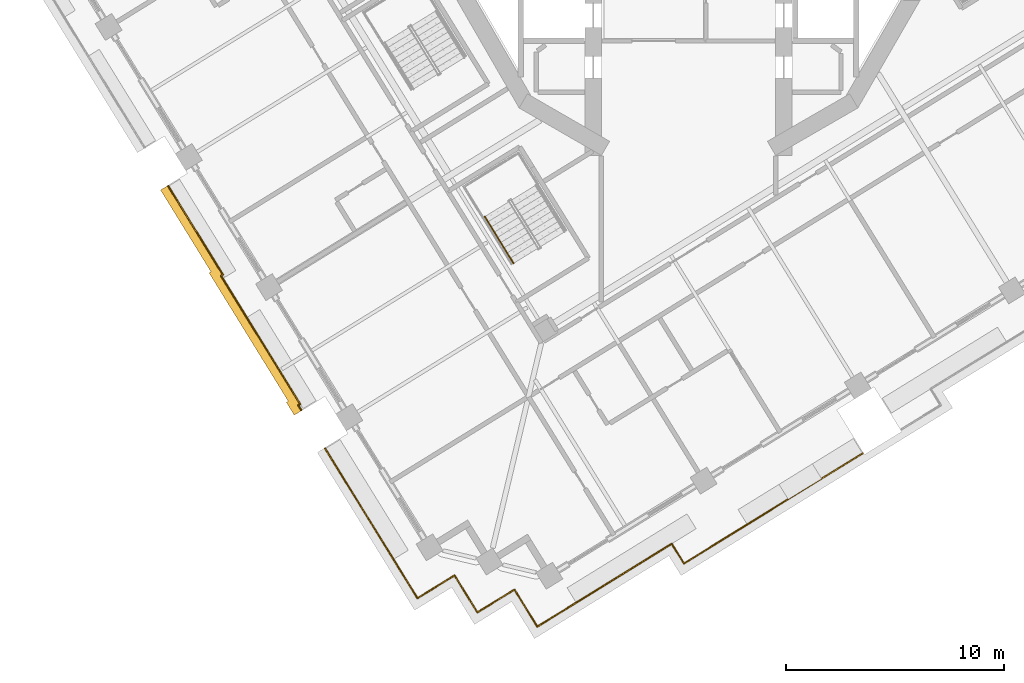
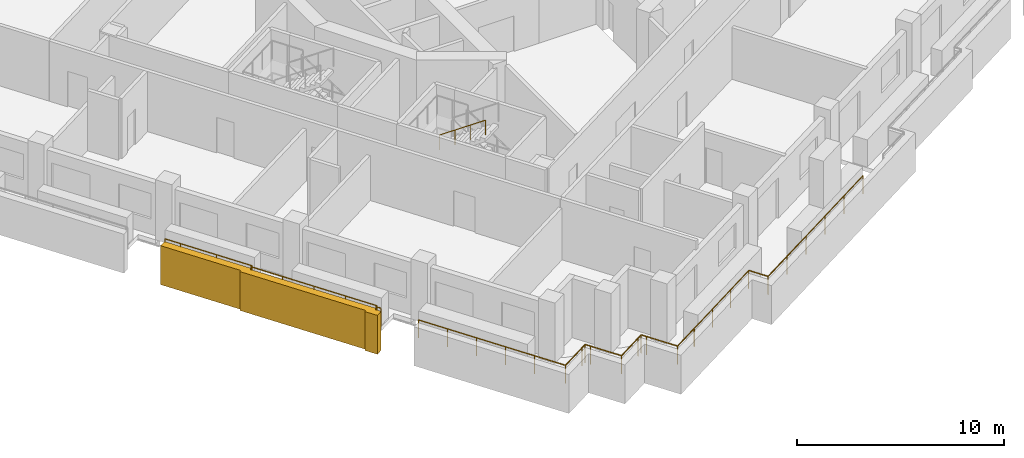
# One storey, part 11 of 20: 4 railings, 1 covering.
"""IFC4 building model written with IfcOpenShell, lengths in metres."""

import ifcopenshell
import ifcopenshell.guid

model = None  # the IFC model being written
_history = None  # IfcOwnerHistory: only IFC2X3 demands one
_inside = {}  # id of a spatial element -> (the spatial element, [elements in it])
_under = {}  # id of a project, library or spatial element -> (it, [spatial elements below it])
_declared = {}  # id of a project -> (the project, [libraries it declares])
_typed = {}  # id of a type object -> (the type object, [elements of that type])
_made_of = {}  # id of a material, layer set ... -> (it, [elements and type objects made of it])


def new_model(schema):
    """Start an empty IFC model of exactly this schema.

    Asked for "IFC4X3", IfcOpenShell would pick the latest addendum, in which some entities
    have other attributes; the version numbers below select the first issue.
    IFC2X3 requires an IfcOwnerHistory on every rooted entity: one is made here for all.
    """
    global model, _history
    if schema == "IFC4X3":
        model = ifcopenshell.file(schema_version=(4, 3, 0, 0))
    else:
        model = ifcopenshell.file(schema=schema)
    _inside.clear()
    _under.clear()
    _declared.clear()
    _typed.clear()
    _made_of.clear()
    _history = None
    if model.schema == "IFC2X3":
        org = make("IfcOrganization", Name="unknown")
        user = make(
            "IfcPersonAndOrganization",
            ThePerson=make("IfcPerson", FamilyName="unknown"),
            TheOrganization=org,
        )
        app = make(
            "IfcApplication",
            ApplicationDeveloper=org,
            Version="unknown",
            ApplicationFullName="unknown",
            ApplicationIdentifier="unknown",
        )
        _history = make(
            "IfcOwnerHistory",
            OwningUser=user,
            OwningApplication=app,
            ChangeAction="ADDED",
            CreationDate=0,
        )
    return model


def make(cls, **values):
    """One entity of the class cls with the attributes given. An attribute that is None is left unset."""
    return model.create_entity(
        cls, **{name: value for name, value in values.items() if value is not None}
    )


def rooted(cls, **values):
    """An entity with a GlobalId (a new one), such as an element, a storey or a relation."""
    return make(cls, GlobalId=ifcopenshell.guid.new(), OwnerHistory=_history, **values)


def si_unit(unit_type, name, prefix=None):
    """IfcSIUnit, for example si_unit("LENGTHUNIT", "METRE", prefix="MILLI")."""
    return make("IfcSIUnit", UnitType=unit_type, Prefix=prefix, Name=name)


def assignment(units):
    """IfcUnitAssignment: the units of a project."""
    return None if units is None else make("IfcUnitAssignment", Units=units)


def point(xyz):
    """IfcCartesianPoint."""
    return None if xyz is None else make("IfcCartesianPoint", Coordinates=xyz)


def direction(xyz):
    """IfcDirection."""
    return None if xyz is None else make("IfcDirection", DirectionRatios=xyz)


def frame(location, z_axis=None, x_axis=None):
    """IfcAxis2Placement3D, a coordinate frame: its origin and axes. An axis left out is left unset."""
    return make(
        "IfcAxis2Placement3D",
        Location=point(location),
        Axis=direction(z_axis),
        RefDirection=direction(x_axis),
    )


def frame_2d(location, x_axis=None):
    """IfcAxis2Placement2D, a coordinate frame in the plane: its origin and x axis."""
    return make(
        "IfcAxis2Placement2D", Location=point(location), RefDirection=direction(x_axis)
    )


def origin():
    """The frame at (0, 0, 0) with its axes left unset."""
    return frame((0.0, 0.0, 0.0))


def origin_2d():
    """The frame at (0, 0) in the plane with its x axis left unset."""
    return frame_2d((0.0, 0.0))


def place(relative_to, where):
    """IfcLocalPlacement: puts the frame where relative to a parent placement (None: the world)."""
    return make(
        "IfcLocalPlacement", PlacementRelTo=relative_to, RelativePlacement=where
    )


def context(
    kind, dimensions, precision=None, world=None, true_north=None, identifier=None
):
    """IfcGeometricRepresentationContext, for example the 3D "Model" context."""
    return make(
        "IfcGeometricRepresentationContext",
        ContextIdentifier=identifier,
        ContextType=kind,
        CoordinateSpaceDimension=dimensions,
        Precision=precision,
        WorldCoordinateSystem=world,
        TrueNorth=true_north,
    )


def subcontext(parent, identifier, kind, view, scale=None):
    """IfcGeometricRepresentationSubContext, for example "Body" below "Model"."""
    return make(
        "IfcGeometricRepresentationSubContext",
        ContextIdentifier=identifier,
        ContextType=kind,
        ParentContext=parent,
        TargetScale=scale,
        TargetView=view,
    )


def project(units=None, contexts=None):
    """IfcProject with its units and contexts."""
    return rooted(
        "IfcProject",
        Name="project",
        RepresentationContexts=contexts,
        UnitsInContext=assignment(units),
    )


def spatial(cls, under=None, at=None, **own):
    """A site, building, storey or space (cls), placed at a placement, below another one or the project."""
    s = rooted(cls, ObjectPlacement=at, **own)
    if under is not None:
        _under.setdefault(under.id(), (under, []))[1].append(s)
    return s


def polyline(points):
    """IfcPolyline through the points."""
    return make("IfcPolyline", Points=[point(p) for p in points])


def profile(cls, at=None, kind="AREA", **sizes):
    """A parametric profile (cls). Its sizes go by their IFC names, for example OverallWidth=200.0."""
    return make(cls, ProfileType=kind, Position=at, **sizes)


def circle(**sizes):
    """IfcCircleProfileDef."""
    return profile("IfcCircleProfileDef", **sizes)


def outline(outer, holes=None, kind="AREA"):
    """IfcArbitraryClosedProfileDef: a profile drawn as a closed curve; with holes, ...WithVoids."""
    if holes is None:
        return make("IfcArbitraryClosedProfileDef", ProfileType=kind, OuterCurve=outer)
    return make(
        "IfcArbitraryProfileDefWithVoids",
        ProfileType=kind,
        OuterCurve=outer,
        InnerCurves=holes,
    )


def extrude(swept, where, along, depth):
    """IfcExtrudedAreaSolid: the profile swept, set in the frame where, extruded along a direction by depth."""
    return make(
        "IfcExtrudedAreaSolid",
        SweptArea=swept,
        Position=where,
        ExtrudedDirection=direction(along),
        Depth=depth,
    )


def shape(context_of_items, identifier, shape_type, items):
    """IfcShapeRepresentation: the items that make up one representation, for example the "Body"."""
    return make(
        "IfcShapeRepresentation",
        ContextOfItems=context_of_items,
        RepresentationIdentifier=identifier,
        RepresentationType=shape_type,
        Items=items,
    )


def material(Name=None, Category=None):
    """IfcMaterial."""
    return make("IfcMaterial", Name=Name, Category=Category)


def made_of(thing, what):
    """Note that an element or type object is made of a material, layer set ...; save() writes the relation."""
    if what is not None:
        _made_of.setdefault(what.id(), (what, []))[1].append(thing)
    return thing


def type_object(cls, material=None, **own):
    """A type object (cls), such as IfcWallType, which elements share."""
    return made_of(rooted(cls, **own), material)


def element(
    cls,
    number,
    at=None,
    inside=None,
    cuts=None,
    type_object=None,
    material=None,
    context=None,
    identifier="Body",
    shape_type=None,
    held_by="IfcProductDefinitionShape",
    body=None,
    shapes=None,
    **own,
):
    """One element of the class cls, such as IfcWall. Its Tag is "e" and its number.

    at: its placement. inside: the storey or other place that contains it. cuts: it is an
    opening in that element (IfcRelVoidsElement). A single representation is given by context,
    identifier, shape_type and body (its items); several are given by shapes. held_by: the class
    of the entity that holds the representations. save() writes the other relations.
    """
    e = rooted(cls, Tag="e%d" % number, ObjectPlacement=at, **own)
    if body is not None:
        shapes = [shape(context, identifier, shape_type, body)]
    if shapes is not None:
        e.Representation = make(held_by, Representations=shapes)
    if inside is not None:
        _inside.setdefault(inside.id(), (inside, []))[1].append(e)
    if cuts is not None:
        rooted(
            "IfcRelVoidsElement", RelatingBuildingElement=cuts, RelatedOpeningElement=e
        )
    if type_object is not None:
        _typed.setdefault(type_object.id(), (type_object, []))[1].append(e)
    return made_of(e, material)


def aggregate(whole, parts):
    """IfcRelAggregates: a whole, such as a stair, and the parts it consists of."""
    return rooted("IfcRelAggregates", RelatingObject=whole, RelatedObjects=parts)


def save(model, path):
    """Write the relations noted so far, then the file.

    IfcRelAggregates (storeys below a building ...), IfcRelContainedInSpatialStructure (elements
    in a storey), IfcRelDefinesByType, IfcRelAssociatesMaterial and IfcRelDeclares: one each for
    every whole, place, type object, material and project.
    """
    for whole, parts in _under.values():
        aggregate(whole, parts)
    for where, things in _inside.values():
        rooted(
            "IfcRelContainedInSpatialStructure",
            RelatedElements=things,
            RelatingStructure=where,
        )
    for kind, things in _typed.values():
        rooted("IfcRelDefinesByType", RelatedObjects=things, RelatingType=kind)
    for what, things in _made_of.values():
        rooted("IfcRelAssociatesMaterial", RelatedObjects=things, RelatingMaterial=what)
    for by, libraries in _declared.values():
        rooted("IfcRelDeclares", RelatingContext=by, RelatedDefinitions=libraries)
    model.write(path)


model = new_model("IFC4")

# Units and contexts
model_context = context("Model", 3, precision=1e-05, world=origin(), true_north=direction((0.0, 1.0)))
body_context = subcontext(model_context, "Body", "Model", "MODEL_VIEW")
ifc_project = project(units=[si_unit("LENGTHUNIT", "METRE"), si_unit("AREAUNIT", "SQUARE_METRE"), si_unit("VOLUMEUNIT", "CUBIC_METRE"), si_unit("PLANEANGLEUNIT", "RADIAN"), si_unit("MASSUNIT", "GRAM", prefix="KILO")], contexts=[model_context])

# Site, building, storey
site_placement = place(None, origin())
site = spatial("IfcSite", under=ifc_project, at=site_placement, CompositionType="ELEMENT")
building_placement = place(site_placement, origin())
building = spatial("IfcBuilding", under=site, at=building_placement, Name="Cantera Rosa Tower", CompositionType="ELEMENT")
storey_placement = place(building_placement, frame((0.0, 0.0, 181.800048828125)))
storey = spatial("IfcBuildingStorey", under=building, at=storey_placement, Name="L40", CompositionType="ELEMENT", Elevation=181.800048828125)

# Railings
ifc_material_1 = material(Name="Stainless steel and laminated glass", Category="steel")
railing_type_1 = type_object("IfcRailingType", Name="GUARD 1100", PredefinedType="BALUSTRADE", material=ifc_material_1)
railing_1_placement = place(storey_placement, frame((-12.44873046875, -30.2958984375, 0.0)))
element("IfcRailing", 1, at=railing_1_placement, inside=storey, type_object=railing_type_1, Name="GUARD L40-1", PredefinedType="BALUSTRADE", context=body_context, shape_type="SweptSolid", body=[
    extrude(circle(Radius=0.030029296875, at=origin_2d()), frame((0.0, 0.0, 1.070068359375), z_axis=(-0.524994468487, 0.851105638601, 0.0), x_axis=(-0.851105638601, -0.524994468487, 0.0)), (0.0, 0.0, 1.0), 1.7001953125),
    extrude(circle(Radius=0.030029296875, at=origin_2d()), frame((-0.892578125, 1.447021484375, 1.070068359375), z_axis=(-0.524975434866, 0.851117378972, 0.0), x_axis=(-0.851117378972, -0.524975434866, 0.0)), (0.0, 0.0, 1.0), 6.389892578125),
    extrude(circle(Radius=0.02490234375, at=origin_2d()), origin(), (0.0, 0.0, 1.0), 1.0400390625),
    extrude(circle(Radius=0.02490234375, at=origin_2d()), frame((-0.892578125, 1.447021484375, 0.0)), (0.0, 0.0, 1.0), 1.0400390625),
    extrude(circle(Radius=0.02490234375, at=origin_2d()), frame((-1.731201171875, 2.806640625, 0.0)), (0.0, 0.0, 1.0), 1.0400390625),
    extrude(circle(Radius=0.02490234375, at=origin_2d()), frame((-2.56982421875, 4.166259765625, 0.0)), (0.0, 0.0, 1.0), 1.0400390625),
    extrude(circle(Radius=0.02490234375, at=origin_2d()), frame((-3.408447265625, 5.52587890625, 0.0)), (0.0, 0.0, 1.0), 1.0400390625),
    extrude(circle(Radius=0.02490234375, at=origin_2d()), frame((-4.2470703125, 6.885498046875, 0.0)), (0.0, 0.0, 1.0), 1.0400390625),
])
railing_2_placement = place(storey_placement, frame((8.00830078125, -23.63134765625, 0.0)))
element("IfcRailing", 2, at=railing_2_placement, inside=storey, type_object=railing_type_1, Name="GUARD L40-2", PredefinedType="BALUSTRADE", context=body_context, shape_type="SweptSolid", body=[
    extrude(circle(Radius=0.030029296875, at=origin_2d()), frame((0.0, 0.0, 1.070068359375), z_axis=(-0.851117969212, -0.524974477936, 0.0), x_axis=(0.524974477936, -0.851117969212, 0.0)), (0.0, 0.0, 1.0), 9.6572265625),
    extrude(circle(Radius=0.030029296875, at=origin_2d()), frame((-8.219482421875, -5.06982421875, 1.070068359375), z_axis=(-0.525054443661, 0.851068640705, 0.0), x_axis=(-0.851068640705, -0.525054443661, 0.0)), (0.0, 0.0, 1.0), 1.067138671875),
    extrude(circle(Radius=0.030029296875, at=origin_2d()), frame((-8.77978515625, -4.16162109375, 1.070068359375), z_axis=(-0.851120447986, -0.524970459188, 0.0), x_axis=(0.524970459188, -0.851120447986, 0.0)), (0.0, 0.0, 1.0), 5.552734375),
    extrude(circle(Radius=0.030029296875, at=origin_2d()), frame((-13.505859375, -7.07666015625, 1.070068359375), z_axis=(-0.851130227454, -0.524954603669, 0.0), x_axis=(0.524954603669, -0.851130227454, 0.0)), (0.0, 0.0, 1.0), 1.699951171875),
    extrude(circle(Radius=0.030029296875, at=origin_2d()), frame((-14.95263671875, -7.968994140625, 1.070068359375), z_axis=(-0.525058638144, 0.851066052965, 0.0), x_axis=(-0.851066052965, -0.525058638144, 0.0)), (0.0, 0.0, 1.0), 1.699951171875),
    extrude(circle(Radius=0.030029296875, at=origin_2d()), frame((-15.84521484375, -6.522216796875, 1.070068359375), z_axis=(-0.524869051004, 0.85118298814, 0.0), x_axis=(-0.85118298814, -0.524869051004, 0.0)), (0.0, 0.0, 1.0), 0.300048828125),
    extrude(circle(Radius=0.030029296875, at=origin_2d()), frame((-16.002685546875, -6.266845703125, 1.070068359375), z_axis=(-0.85118298814, -0.524869051004, 0.0), x_axis=(0.524869051004, -0.85118298814, 0.0)), (0.0, 0.0, 1.0), 0.300048828125),
    extrude(circle(Radius=0.030029296875, at=origin_2d()), frame((-16.258056640625, -6.42431640625, 1.070068359375), z_axis=(-0.851066052965, -0.525058638144, 0.0), x_axis=(0.525058638144, -0.851066052965, 0.0)), (0.0, 0.0, 1.0), 1.699951171875),
    extrude(circle(Radius=0.030029296875, at=origin_2d()), frame((-17.704833984375, -7.31689453125, 1.070068359375), z_axis=(-0.524994468487, 0.851105638601, 0.0), x_axis=(-0.851105638601, -0.524994468487, 0.0)), (0.0, 0.0, 1.0), 1.7001953125),
    extrude(circle(Radius=0.030029296875, at=origin_2d()), frame((-18.597412109375, -5.869873046875, 1.070068359375), z_axis=(-0.524869051004, 0.85118298814, 0.0), x_axis=(-0.85118298814, -0.524869051004, 0.0)), (0.0, 0.0, 1.0), 0.300048828125),
    extrude(circle(Radius=0.030029296875, at=origin_2d()), frame((-18.7548828125, -5.614501953125, 1.070068359375), z_axis=(-0.85118298814, -0.524869051004, 0.0), x_axis=(0.524869051004, -0.85118298814, 0.0)), (0.0, 0.0, 1.0), 0.300048828125),
    extrude(circle(Radius=0.030029296875, at=origin_2d()), frame((-19.01025390625, -5.77197265625, 1.070068359375), z_axis=(-0.851066052965, -0.525058638144, 0.0), x_axis=(0.525058638144, -0.851066052965, 0.0)), (0.0, 0.0, 1.0), 1.699951171875),
    extrude(circle(Radius=0.02490234375, at=origin_2d()), origin(), (0.0, 0.0, 1.0), 1.0400390625),
    extrude(circle(Radius=0.02490234375, at=origin_2d()), frame((-1.643798828125, -1.013916015625, 0.0)), (0.0, 0.0, 1.0), 1.0400390625),
    extrude(circle(Radius=0.02490234375, at=origin_2d()), frame((-3.287841796875, -2.02783203125, 0.0)), (0.0, 0.0, 1.0), 1.0400390625),
    extrude(circle(Radius=0.02490234375, at=origin_2d()), frame((-4.931640625, -3.0419921875, 0.0)), (0.0, 0.0, 1.0), 1.0400390625),
    extrude(circle(Radius=0.02490234375, at=origin_2d()), frame((-6.57568359375, -4.055908203125, 0.0)), (0.0, 0.0, 1.0), 1.0400390625),
    extrude(circle(Radius=0.02490234375, at=origin_2d()), frame((-8.219482421875, -5.06982421875, 0.0)), (0.0, 0.0, 1.0), 1.0400390625),
    extrude(circle(Radius=0.02490234375, at=origin_2d()), frame((-8.77978515625, -4.16162109375, 0.0)), (0.0, 0.0, 1.0), 1.0400390625),
    extrude(circle(Radius=0.02490234375, at=origin_2d()), frame((-10.355224609375, -5.13330078125, 0.0)), (0.0, 0.0, 1.0), 1.0400390625),
    extrude(circle(Radius=0.02490234375, at=origin_2d()), frame((-11.930419921875, -6.10498046875, 0.0)), (0.0, 0.0, 1.0), 1.0400390625),
    extrude(circle(Radius=0.02490234375, at=origin_2d()), frame((-13.505859375, -7.07666015625, 0.0)), (0.0, 0.0, 1.0), 1.0400390625),
    extrude(circle(Radius=0.02490234375, at=origin_2d()), frame((-14.95263671875, -7.968994140625, 0.0)), (0.0, 0.0, 1.0), 1.0400390625),
    extrude(circle(Radius=0.02490234375, at=origin_2d()), frame((-15.84521484375, -6.522216796875, 0.0)), (0.0, 0.0, 1.0), 1.0400390625),
    extrude(circle(Radius=0.02490234375, at=origin_2d()), frame((-16.002685546875, -6.266845703125, 0.0)), (0.0, 0.0, 1.0), 1.0400390625),
    extrude(circle(Radius=0.02490234375, at=origin_2d()), frame((-16.258056640625, -6.42431640625, 0.0)), (0.0, 0.0, 1.0), 1.0400390625),
    extrude(circle(Radius=0.02490234375, at=origin_2d()), frame((-17.704833984375, -7.31689453125, 0.0)), (0.0, 0.0, 1.0), 1.0400390625),
    extrude(circle(Radius=0.02490234375, at=origin_2d()), frame((-18.597412109375, -5.869873046875, 0.0)), (0.0, 0.0, 1.0), 1.0400390625),
    extrude(circle(Radius=0.02490234375, at=origin_2d()), frame((-18.7548828125, -5.614501953125, 0.0)), (0.0, 0.0, 1.0), 1.0400390625),
    extrude(circle(Radius=0.02490234375, at=origin_2d()), frame((-19.01025390625, -5.77197265625, 0.0)), (0.0, 0.0, 1.0), 1.0400390625),
    extrude(circle(Radius=0.02490234375, at=origin_2d()), frame((-20.45703125, -6.66455078125, 0.0)), (0.0, 0.0, 1.0), 1.0400390625),
])
railing_3_placement = place(storey_placement, frame((-17.77734375, -21.656982421875, 0.0)))
element("IfcRailing", 3, at=railing_3_placement, inside=storey, type_object=railing_type_1, Name="GUARD L40-3", PredefinedType="BALUSTRADE", context=body_context, shape_type="SweptSolid", body=[
    extrude(circle(Radius=0.030029296875, at=origin_2d()), frame((0.0, 0.0, 1.070068359375), z_axis=(-0.524702988445, 0.851285365736, 0.0), x_axis=(-0.851285365736, -0.524702988445, 0.0)), (0.0, 0.0, 1.0), 0.269775390625),
    extrude(circle(Radius=0.030029296875, at=origin_2d()), frame((-0.1416015625, 0.229736328125, 1.070068359375), z_axis=(0.851152604587, 0.524918320984, 0.0), x_axis=(-0.524918320984, 0.851152604587, 0.0)), (0.0, 0.0, 1.0), 0.099609375),
    extrude(circle(Radius=0.030029296875, at=origin_2d()), frame((-0.056884765625, 0.281982421875, 1.070068359375), z_axis=(-0.524973044058, 0.851118853635, 0.0), x_axis=(-0.851118853635, -0.524973044058, 0.0)), (0.0, 0.0, 1.0), 6.92041015625),
    extrude(circle(Radius=0.030029296875, at=origin_2d()), frame((-3.68994140625, 6.172119140625, 1.070068359375), z_axis=(0.852075986308, 0.523418105875, 0.0), x_axis=(-0.523418105875, 0.852075986308, 0.0)), (0.0, 0.0, 1.0), 0.100341796875),
    extrude(circle(Radius=0.030029296875, at=origin_2d()), frame((-3.6044921875, 6.224609375, 1.070068359375), z_axis=(-0.524945108828, 0.851136083548, 0.0), x_axis=(-0.851136083548, -0.524945108828, 0.0)), (0.0, 0.0, 1.0), 3.919677734375),
    extrude(circle(Radius=0.030029296875, at=origin_2d()), frame((-5.662109375, 9.560791015625, 1.070068359375), z_axis=(-0.525020841331, 0.851089370259, 0.0), x_axis=(-0.851089370259, -0.525020841331, 0.0)), (0.0, 0.0, 1.0), 0.8701171875),
    extrude(circle(Radius=0.02490234375, at=origin_2d()), origin(), (0.0, 0.0, 1.0), 1.0400390625),
    extrude(circle(Radius=0.02490234375, at=origin_2d()), frame((-0.1416015625, 0.229736328125, 0.0)), (0.0, 0.0, 1.0), 1.0400390625),
    extrude(circle(Radius=0.02490234375, at=origin_2d()), frame((-0.056884765625, 0.281982421875, 0.0)), (0.0, 0.0, 1.0), 1.0400390625),
    extrude(circle(Radius=0.02490234375, at=origin_2d()), frame((-0.965087890625, 1.75439453125, 0.0)), (0.0, 0.0, 1.0), 1.0400390625),
    extrude(circle(Radius=0.02490234375, at=origin_2d()), frame((-1.87353515625, 3.22705078125, 0.0)), (0.0, 0.0, 1.0), 1.0400390625),
    extrude(circle(Radius=0.02490234375, at=origin_2d()), frame((-2.78173828125, 4.69970703125, 0.0)), (0.0, 0.0, 1.0), 1.0400390625),
    extrude(circle(Radius=0.02490234375, at=origin_2d()), frame((-3.68994140625, 6.172119140625, 0.0)), (0.0, 0.0, 1.0), 1.0400390625),
    extrude(circle(Radius=0.02490234375, at=origin_2d()), frame((-3.6044921875, 6.224609375, 0.0)), (0.0, 0.0, 1.0), 1.0400390625),
    extrude(circle(Radius=0.02490234375, at=origin_2d()), frame((-4.63330078125, 7.892578125, 0.0)), (0.0, 0.0, 1.0), 1.0400390625),
    extrude(circle(Radius=0.02490234375, at=origin_2d()), frame((-5.662109375, 9.560791015625, 0.0)), (0.0, 0.0, 1.0), 1.0400390625),
    extrude(circle(Radius=0.02490234375, at=origin_2d()), frame((-6.118896484375, 10.30126953125, 0.0)), (0.0, 0.0, 1.0), 1.0400390625),
])
ifc_material_2 = material(Name="Steel S355J2 (EN 10025-2)", Category="steel")
railing_type_2 = type_object("IfcRailingType", Name="STAIR HANDRAIL 900", PredefinedType="HANDRAIL", material=ifc_material_2)
railing_4_placement = place(storey_placement, frame((-9.358154296875, -12.7685546875, 2.08984375)))
element("IfcRailing", 4, at=railing_4_placement, inside=storey, type_object=railing_type_2, Name="L40 ST-33 stair handrail 2", PredefinedType="HANDRAIL", context=body_context, shape_type="SweptSolid", body=[
    extrude(circle(Radius=0.02392578125, at=origin_2d()), frame((0.0, 0.0, 0.8759765625), z_axis=(0.434343018426, -0.704264196543, 0.561567523823), x_axis=(0.851145618652, 0.524929648476, 0.0)), (0.0, 0.0, 1.0), 3.04541015625),
    extrude(circle(Radius=0.02099609375, at=origin_2d()), origin(), (0.0, 0.0, 1.0), 0.851806640625),
    extrude(circle(Radius=0.02099609375, at=origin_2d()), frame((0.44091796875, -0.71484375, 0.570068359375)), (0.0, 0.0, 1.0), 0.851806640625),
    extrude(circle(Radius=0.02099609375, at=origin_2d()), frame((0.8818359375, -1.429931640625, 1.14013671875)), (0.0, 0.0, 1.0), 0.851806640625),
    extrude(circle(Radius=0.02099609375, at=origin_2d()), frame((1.32275390625, -2.144775390625, 1.710205078125)), (0.0, 0.0, 1.0), 0.851806640625),
])

# Covering
ifc_material_3 = material(Name="Cantera stone", Category="masonry")
covering_type = type_object("IfcCoveringType", Name="TRAY FASCIA 400", PredefinedType="CLADDING", material=ifc_material_3)
covering_placement = place(storey_placement, frame((0.0, 0.0, -1.400146484375)))
element("IfcCovering", 5, at=covering_placement, inside=storey, type_object=covering_type, Name="TRAY FASCIA L40-02", PredefinedType="CLADDING", context=body_context, shape_type="SweptSolid", body=[
    extrude(outline(polyline([(-24.247314453125, -11.548583984375), (-23.90673828125, -11.338623046875), (-23.439453125, -12.09619140625), (-21.3818359375, -15.432373046875), (-21.46728515625, -15.48486328125), (-17.834228515625, -21.375), (-17.9189453125, -21.42724609375), (-17.766845703125, -21.674072265625), (-18.107177734375, -21.884033203125), (-18.469482421875, -21.296875), (-18.384521484375, -21.244384765625), (-22.017578125, -15.3544921875), (-21.932373046875, -15.3017578125), (-23.780029296875, -12.30615234375), (-24.247314453125, -11.548583984375)])), origin(), (0.0, 0.0, 1.0), 2.300048828125),
])

save(model, "model.ifc")
